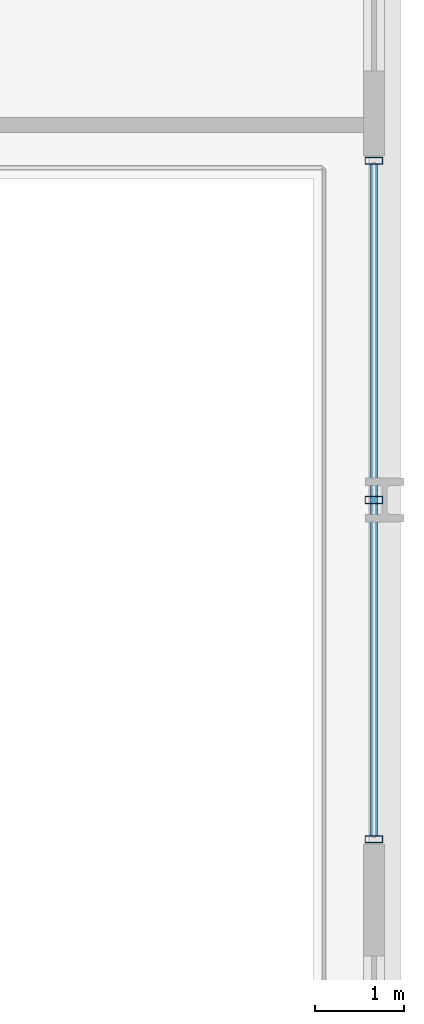
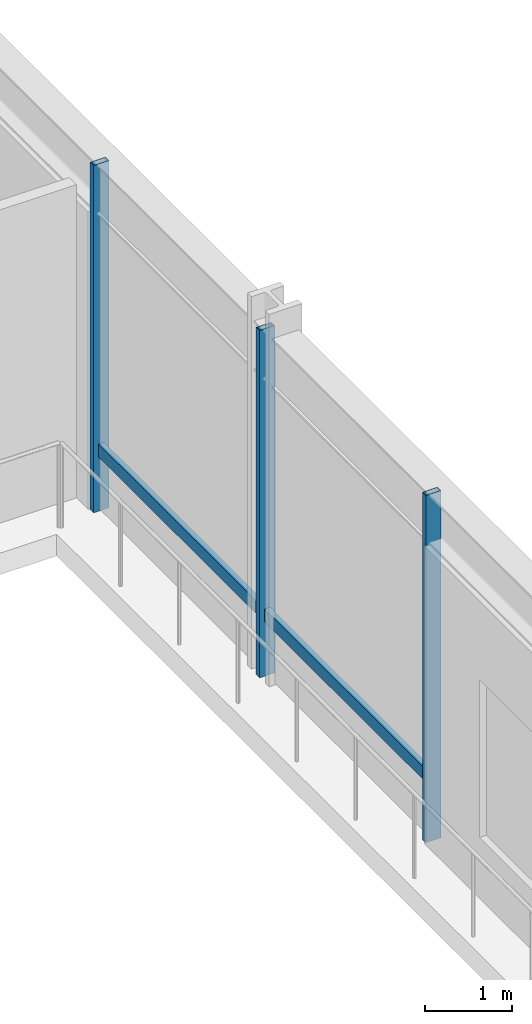
# One storey, part 9 of 21: 4 members, 1 element without a shape of its own.
"""IFC4 building model written with IfcOpenShell, lengths in metres."""

from ifc_helpers import new_model, si_unit, direction, frame, origin, origin_2d, place, context, subcontext, project, spatial, hollow_rectangle, extrude, material, layer, layer_set, material_profile, profile_set, type_object, element, aggregate, save


model = new_model("IFC4")

# Units and contexts
model_context = context("Model", 3, precision=1e-05, world=origin(), true_north=direction((0.0, 1.0)))
body_context = subcontext(model_context, "Body", "Model", "MODEL_VIEW")
ifc_project = project(units=[si_unit("LENGTHUNIT", "METRE"), si_unit("AREAUNIT", "SQUARE_METRE"), si_unit("VOLUMEUNIT", "CUBIC_METRE"), si_unit("PLANEANGLEUNIT", "RADIAN"), si_unit("MASSUNIT", "GRAM", prefix="KILO")], contexts=[model_context])

# Site, building, storey
site_placement = place(None, origin())
site = spatial("IfcSite", under=ifc_project, at=site_placement, CompositionType="ELEMENT")
building_placement = place(site_placement, origin())
building = spatial("IfcBuilding", under=site, at=building_placement, Name="Drelvath Grand Hotel", CompositionType="ELEMENT")
storey_placement = place(building_placement, frame((0.0, 0.0, 22.39990234375)))
storey = spatial("IfcBuildingStorey", under=building, at=storey_placement, Name="L04", CompositionType="ELEMENT", Elevation=22.39990234375)

# Curtain wall, members
ifc_material = material(Name="Dark Bronze Anodised Aluminium Frame", Category="aluminium")
ifc_layer = layer(ifc_material, 0.199951171875)
ifc_layer_set = layer_set([ifc_layer], Name="Dark Bronze Anodised Aluminium Frame")
curtain_wall_type = type_object("IfcCurtainWallType", Name="Stick Curtain Wall CW-01 Dark Bronze Podium", PredefinedType="NOTDEFINED", material=ifc_layer_set)
curtain_wall_placement = place(storey_placement, origin())
curtain_wall = element("IfcCurtainWall", 1, at=curtain_wall_placement, inside=storey, type_object=curtain_wall_type, Name="L04 CW-01 Curtain Wall CW01-L04-EA2", PredefinedType="NOTDEFINED")
ifc_material_profile_1 = material_profile(ifc_material, hollow_rectangle(XDim=0.074951171875, YDim=0.179931640625, WallThickness=0.0048828125, at=origin_2d()), Name="HSS180X75X5")
ifc_profile_set_1 = profile_set([ifc_material_profile_1], Name="Dark Bronze Anodised Aluminium Frame")
member_type_1 = type_object("IfcMemberType", Name="Curtain Wall Horizontal Transom CW-01 HSS180X75X5", PredefinedType="USERDEFINED", material=ifc_profile_set_1)
member_1_placement = place(storey_placement, frame((38.8798828125, 39.159912109375, 0.85009765625), z_axis=(0.0, -1.0, 0.0), x_axis=(1.0, 0.0, 0.0)))
member_1 = element("IfcMember", 2, at=member_1_placement, type_object=member_type_1, Name="CW01-L04-EA2 Sill Transom", ObjectType="TRANSOM", PredefinedType="USERDEFINED", context=body_context, shape_type="SweptSolid", body=[
    extrude(hollow_rectangle(XDim=0.074951171875, YDim=0.179931640625, WallThickness=0.0048828125, at=origin_2d()), origin(), (0.0, 0.0, 1.0), 7.52001953125),
])
ifc_material_profile_2 = material_profile(ifc_material, hollow_rectangle(XDim=0.080078125, YDim=0.199951171875, WallThickness=0.0048828125, at=origin_2d()), Name="HSS200X80X5")
ifc_profile_set_2 = profile_set([ifc_material_profile_2], Name="Dark Bronze Anodised Aluminium Frame")
member_type_2 = type_object("IfcMemberType", Name="Curtain Wall Vertical Mullion CW-01 HSS200X80X5", PredefinedType="MULLION", material=ifc_profile_set_2)
member_2_placement = place(storey_placement, frame((38.8798828125, 39.199951171875, 0.0), z_axis=(0.0, 0.0, 1.0), x_axis=(0.0, 1.0, 0.0)))
member_2 = element("IfcMember", 3, at=member_2_placement, type_object=member_type_2, Name="CW01-L04-EA2 Mullion 1", PredefinedType="MULLION", context=body_context, shape_type="SweptSolid", body=[
    extrude(hollow_rectangle(XDim=0.080078125, YDim=0.199951171875, WallThickness=0.0048828125, at=origin_2d()), origin(), (0.0, 0.0, 1.0), 4.85009765625),
])
member_3_placement = place(storey_placement, frame((38.8798828125, 35.39990234375, 0.0), z_axis=(0.0, 0.0, 1.0), x_axis=(0.0, 1.0, 0.0)))
member_3 = element("IfcMember", 4, at=member_3_placement, type_object=member_type_2, Name="CW01-L04-EA2 Mullion 2", PredefinedType="MULLION", context=body_context, shape_type="SweptSolid", body=[
    extrude(hollow_rectangle(XDim=0.080078125, YDim=0.199951171875, WallThickness=0.0048828125, at=origin_2d()), origin(), (0.0, 0.0, 1.0), 4.85009765625),
])
member_4_placement = place(storey_placement, frame((38.8798828125, 31.60009765625, 0.0), z_axis=(0.0, 0.0, 1.0), x_axis=(0.0, 1.0, 0.0)))
member_4 = element("IfcMember", 5, at=member_4_placement, type_object=member_type_2, Name="CW01-L04-EA2 Mullion 3", PredefinedType="MULLION", context=body_context, shape_type="SweptSolid", body=[
    extrude(hollow_rectangle(XDim=0.080078125, YDim=0.199951171875, WallThickness=0.0048828125, at=origin_2d()), origin(), (0.0, 0.0, 1.0), 4.85009765625),
])
aggregate(curtain_wall, [member_2, member_3, member_4, member_1])

save(model, "model.ifc")
